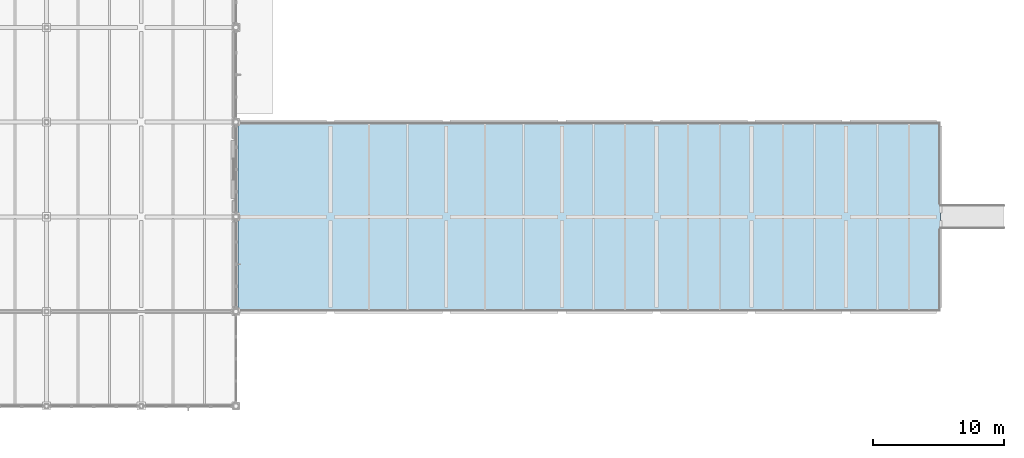
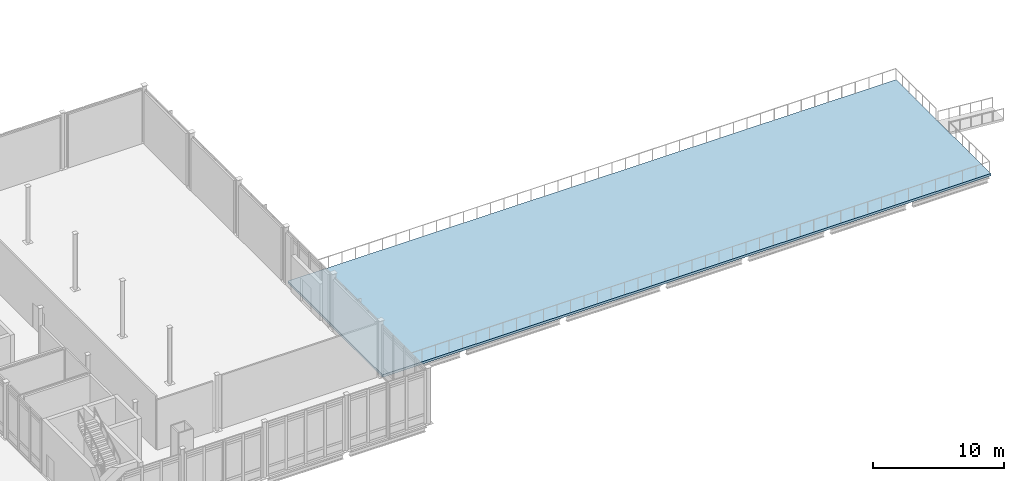
# One storey, part 49 of 89: 1 slab.
"""IFC4 building model written with IfcOpenShell, lengths in metres."""

from ifc_helpers import new_model, si_unit, direction, frame, origin, place, context, subcontext, project, spatial, polyline, outline, extrude, material, layer, layer_set, type_object, element, save


model = new_model("IFC4")

# Units and contexts
model_context = context("Model", 3, precision=1e-05, world=origin(), true_north=direction((0.0, 1.0)))
body_context = subcontext(model_context, "Body", "Model", "MODEL_VIEW")
ifc_project = project(units=[si_unit("LENGTHUNIT", "METRE"), si_unit("AREAUNIT", "SQUARE_METRE"), si_unit("VOLUMEUNIT", "CUBIC_METRE"), si_unit("PLANEANGLEUNIT", "RADIAN"), si_unit("MASSUNIT", "GRAM", prefix="KILO")], contexts=[model_context])

# Site, building, storey
site_placement = place(None, origin())
site = spatial("IfcSite", under=ifc_project, at=site_placement, CompositionType="ELEMENT")
building_placement = place(site_placement, origin())
building = spatial("IfcBuilding", under=site, at=building_placement, Name="Zarrinpeak Specialist Clinic", CompositionType="ELEMENT")
storey_placement = place(building_placement, origin())
storey = spatial("IfcBuildingStorey", under=building, at=storey_placement, Name="L00", CompositionType="ELEMENT", Elevation=0.0)

# Slab
ifc_material = material(Name="Concrete C35/45", Category="concrete")
ifc_layer = layer(ifc_material, 0.219970703125)
ifc_layer_set = layer_set([ifc_layer], Name="Concrete C35/45")
slab_type = type_object("IfcSlabType", Name="SL-TER220", PredefinedType="FLOOR", material=ifc_layer_set)
slab_placement = place(storey_placement, frame((0.0, 0.0, -0.219970703125)))
element("IfcSlab", 1, at=slab_placement, inside=storey, type_object=slab_type, Name="L00 East Healing Garden C2 Deck Slab B01-C2", PredefinedType="FLOOR", context=body_context, shape_type="SweptSolid", body=[
    extrude(outline(polyline([(122.5400390625, 36.0), (176.0, 36.0), (176.0, 50.39990234375), (122.5400390625, 50.39990234375), (122.5400390625, 36.0)])), origin(), (0.0, 0.0, 1.0), 0.219970703125),
])

save(model, "model.ifc")
